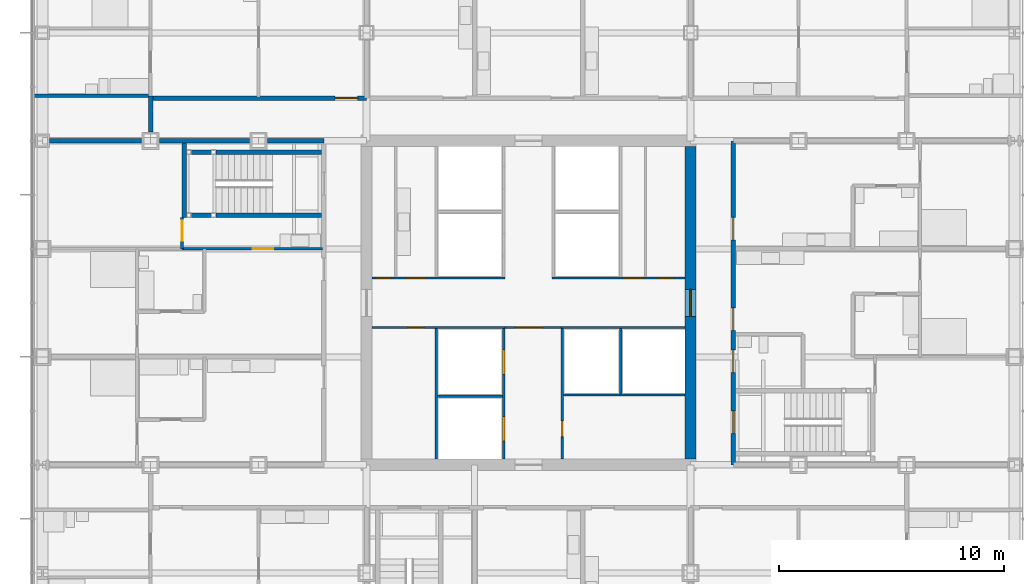
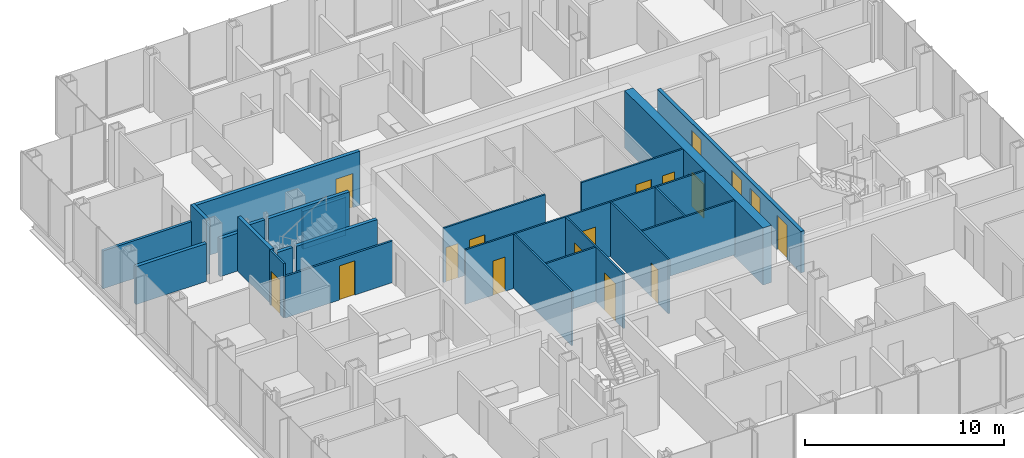
# One storey, part 15 of 21: 26 walls, 17 doors, 17 openings.
"""IFC4 building model written with IfcOpenShell, lengths in metres."""

from ifc_helpers import new_model, si_unit, direction, frame, frame_2d, origin, place, context, subcontext, project, spatial, rectangle, extrude, material, layer, layer_set, type_object, element, fill, save


model = new_model("IFC4")

# Units and contexts
model_context = context("Model", 3, precision=1e-05, world=origin(), true_north=direction((0.0, 1.0)))
body_context = subcontext(model_context, "Body", "Model", "MODEL_VIEW")
ifc_project = project(units=[si_unit("LENGTHUNIT", "METRE"), si_unit("AREAUNIT", "SQUARE_METRE"), si_unit("VOLUMEUNIT", "CUBIC_METRE"), si_unit("PLANEANGLEUNIT", "RADIAN"), si_unit("MASSUNIT", "GRAM", prefix="KILO")], contexts=[model_context])

# Site, building, storey
site_placement = place(None, origin())
site = spatial("IfcSite", under=ifc_project, at=site_placement, CompositionType="ELEMENT")
building_placement = place(site_placement, origin())
building = spatial("IfcBuilding", under=site, at=building_placement, Name="Kvirike Care Tower", CompositionType="ELEMENT")
storey_placement = place(building_placement, frame((0.0, 0.0, 51.5)))
storey = spatial("IfcBuildingStorey", under=building, at=storey_placement, Name="L13", CompositionType="ELEMENT", Elevation=51.5)

# Wall
ifc_material_1 = material(Name="Moisture-resistant board partition", Category="gypsum")
ifc_layer_1 = layer(ifc_material_1, 0.14990234375)
ifc_layer_set_1 = layer_set([ifc_layer_1], Name="BATHROOM WALL 150")
wall_type_1 = type_object("IfcWallType", Name="BATHROOM WALL 150", PredefinedType="PARTITIONING", material=ifc_layer_set_1)
wall_1_placement = place(storey_placement, frame((4.699951171875, 45.199951171875, 0.0), z_axis=(0.0, 0.0, 1.0), x_axis=(-1.0, 0.0, 0.0)))
element("IfcWall", 1, at=wall_1_placement, inside=storey, type_object=wall_type_1, Name="Bathroom Wall 150 L13", PredefinedType="PARTITIONING", context=body_context, shape_type="SweptSolid", body=[
    extrude(rectangle(XDim=5.135009765625, YDim=0.14990234375, at=frame_2d((2.5673828125, 0.0))), origin(), (0.0, 0.0, 1.0), 2.320068359375),
])

# Wall, opening, door
ifc_material_2 = material(Name="Concrete C60/75", Category="concrete")
ifc_layer_2 = layer(ifc_material_2, 0.5)
ifc_layer_set_2 = layer_set([ifc_layer_2], Name="CORE WALL 500 C60-75")
wall_type_2 = type_object("IfcWallType", Name="CORE WALL 500 C60-75", PredefinedType="SHEAR", material=ifc_layer_set_2)
wall_2_placement = place(storey_placement, frame((28.800048828125, 29.050048828125, -0.169921875), z_axis=(0.0, 0.0, 1.0), x_axis=(0.0, 1.0, 0.0)))
wall_2 = element("IfcWall", 2, at=wall_2_placement, inside=storey, type_object=wall_type_2, Name="Core wall E L13", PredefinedType="SHEAR", context=body_context, shape_type="SweptSolid", body=[
    extrude(rectangle(XDim=13.89990234375, YDim=0.5, at=frame_2d((6.949951171875, 0.0))), origin(), (0.0, 0.0, 1.0), 3.5),
])
opening_1_placement = place(wall_2_placement, frame((6.35009765625, 0.0, 0.169921875)))
opening_1 = element("IfcOpeningElement", 3, at=opening_1_placement, cuts=wall_2, Name="Opening 13-077", PredefinedType="OPENING", context=body_context, shape_type="SweptSolid", body=[
    extrude(rectangle(XDim=1.199951171875, YDim=2.10009765625, at=frame_2d((0.60009765625, 1.050048828125))), frame((0.0, 0.260498046875, 0.0), z_axis=(0.0, -1.0, 0.0), x_axis=(1.0, 0.0, 0.0)), (0.0, 0.0, 1.0), 0.52099609375),
])
ifc_material_3 = material(Name="Timber door set", Category="wood")
door_type_1 = type_object("IfcDoorType", Name="CORE DOOR 1200", OperationType="SINGLE_SWING_LEFT", PredefinedType="DOOR", material=ifc_material_3)
door_1_placement = place(opening_1_placement, origin())
door_1 = element("IfcDoor", 4, at=door_1_placement, inside=storey, type_object=door_type_1, Name="Core door E L13", OperationType="SINGLE_SWING_LEFT", OverallHeight=2.10009765625, OverallWidth=1.199951171875, PredefinedType="DOOR", context=body_context, shape_type="SweptSolid", body=[
    extrude(rectangle(XDim=1.199951171875, YDim=2.10009765625, at=frame_2d((0.60009765625, 1.050048828125))), frame((0.0, 0.02685546875, 0.0), z_axis=(0.0, -1.0, 0.0), x_axis=(1.0, 0.0, 0.0)), (0.0, 0.0, 1.0), 0.053955078125),
])
fill(opening_1, door_1)

ifc_material_4 = material(Name="Plasterboard corridor wall", Category="gypsum")
ifc_layer_3 = layer(ifc_material_4, 0.199951171875)
ifc_layer_set_3 = layer_set([ifc_layer_3], Name="CORRIDOR WALL 200")
wall_type_3 = type_object("IfcWallType", Name="CORRIDOR WALL 200", PredefinedType="PARTITIONING", material=ifc_layer_set_3)
wall_3_placement = place(storey_placement, frame((14.39990234375, 45.10009765625, 0.0), z_axis=(0.0, 0.0, 1.0), x_axis=(-1.0, 0.0, 0.0)))
wall_3 = element("IfcWall", 5, at=wall_3_placement, inside=storey, type_object=wall_type_3, Name="Corridor Wall 200 L13", PredefinedType="PARTITIONING", context=body_context, shape_type="SweptSolid", body=[
    extrude(rectangle(XDim=9.599853515625, YDim=0.199951171875, at=frame_2d((4.7998046875, 0.0))), origin(), (0.0, 0.0, 1.0), 3.330078125),
])
opening_2_placement = place(wall_3_placement, frame((0.39990234375, 0.0, 0.0)))
opening_2 = element("IfcOpeningElement", 6, at=opening_2_placement, cuts=wall_3, Name="Opening 13-023", PredefinedType="OPENING", context=body_context, shape_type="SweptSolid", body=[
    extrude(rectangle(XDim=1.0, YDim=2.10009765625, at=frame_2d((0.5, 1.050048828125))), frame((0.0, 0.110595703125, 0.0), z_axis=(0.0, -1.0, 0.0), x_axis=(1.0, 0.0, 0.0)), (0.0, 0.0, 1.0), 0.220947265625),
])
ifc_material_5 = material(Name="Timber door set", Category="wood")
door_type_2 = type_object("IfcDoorType", Name="FLAT ENTRANCE DOOR 1000", OperationType="SINGLE_SWING_LEFT", PredefinedType="DOOR", material=ifc_material_5)
door_2_placement = place(opening_2_placement, frame((1.0, 0.0, 0.0), z_axis=(0.0, 0.0, 1.0), x_axis=(-1.0, 0.0, 0.0)))
door_2 = element("IfcDoor", 7, at=door_2_placement, inside=storey, type_object=door_type_2, Name="Three-bedroom corner apartment entrance", OperationType="SINGLE_SWING_LEFT", OverallHeight=2.10009765625, OverallWidth=1.0, PredefinedType="DOOR", context=body_context, shape_type="SweptSolid", body=[
    extrude(rectangle(XDim=1.0, YDim=2.10009765625, at=frame_2d((0.5, 1.050048828125))), frame((0.0, 0.02685546875, 0.0), z_axis=(0.0, -1.0, 0.0), x_axis=(1.0, 0.0, 0.0)), (0.0, 0.0, 1.0), 0.053955078125),
])
fill(opening_2, door_2)

# Wall
wall_4_placement = place(storey_placement, frame((4.800048828125, 45.199951171875, 0.0), z_axis=(0.0, 0.0, 1.0), x_axis=(0.0, -1.0, 0.0)))
element("IfcWall", 8, at=wall_4_placement, inside=storey, type_object=wall_type_3, Name="Corridor Wall 200 L13", PredefinedType="PARTITIONING", context=body_context, shape_type="SweptSolid", body=[
    extrude(rectangle(XDim=1.60498046875, YDim=0.199951171875, at=frame_2d((0.802490234375, 0.0))), origin(), (0.0, 0.0, 1.0), 3.330078125),
])

# Wall, openings, doors
wall_5_placement = place(storey_placement, frame((30.699951171875, 28.800048828125, 0.0), z_axis=(0.0, 0.0, 1.0), x_axis=(0.0, 1.0, 0.0)))
wall_5 = element("IfcWall", 9, at=wall_5_placement, inside=storey, type_object=wall_type_3, Name="Corridor Wall 200 L13", PredefinedType="PARTITIONING", context=body_context, shape_type="SweptSolid", body=[
    extrude(rectangle(XDim=14.39990234375, YDim=0.199951171875, at=frame_2d((7.199951171875, 0.0))), origin(), (0.0, 0.0, 1.0), 2.550048828125),
])
opening_3_placement = place(wall_5_placement, frame((1.39990234375, 0.0, 0.0)))
opening_3 = element("IfcOpeningElement", 10, at=opening_3_placement, cuts=wall_5, Name="Opening 13-053", PredefinedType="OPENING", context=body_context, shape_type="SweptSolid", body=[
    extrude(rectangle(XDim=1.0, YDim=2.10009765625, at=frame_2d((0.5, 1.050048828125))), frame((0.0, 0.110595703125, 0.0), z_axis=(0.0, -1.0, 0.0), x_axis=(1.0, 0.0, 0.0)), (0.0, 0.0, 1.0), 0.220947265625),
])
opening_4_placement = place(wall_5_placement, frame((4.10009765625, 0.0, 0.0)))
opening_4 = element("IfcOpeningElement", 11, at=opening_4_placement, cuts=wall_5, Name="Opening 13-054", PredefinedType="OPENING", context=body_context, shape_type="SweptSolid", body=[
    extrude(rectangle(XDim=1.0, YDim=2.10009765625, at=frame_2d((0.5, 1.050048828125))), frame((0.0, 0.110595703125, 0.0), z_axis=(0.0, -1.0, 0.0), x_axis=(1.0, 0.0, 0.0)), (0.0, 0.0, 1.0), 0.220947265625),
])
opening_5_placement = place(wall_5_placement, frame((5.97509765625, 0.0, 0.0)))
opening_5 = element("IfcOpeningElement", 12, at=opening_5_placement, cuts=wall_5, Name="Opening 13-055", PredefinedType="OPENING", context=body_context, shape_type="SweptSolid", body=[
    extrude(rectangle(XDim=1.0, YDim=2.10009765625, at=frame_2d((0.5, 1.050048828125))), frame((0.0, 0.110595703125, 0.0), z_axis=(0.0, -1.0, 0.0), x_axis=(1.0, 0.0, 0.0)), (0.0, 0.0, 1.0), 0.220947265625),
])
opening_6_placement = place(wall_5_placement, frame((10.0, 0.0, 0.0)))
opening_6 = element("IfcOpeningElement", 13, at=opening_6_placement, cuts=wall_5, Name="Opening 13-056", PredefinedType="OPENING", context=body_context, shape_type="SweptSolid", body=[
    extrude(rectangle(XDim=1.0, YDim=2.10009765625, at=frame_2d((0.5, 1.050048828125))), frame((0.0, 0.110595703125, 0.0), z_axis=(0.0, -1.0, 0.0), x_axis=(1.0, 0.0, 0.0)), (0.0, 0.0, 1.0), 0.220947265625),
])
door_3_placement = place(opening_5_placement, frame((1.0, 0.0, 0.0), z_axis=(0.0, 0.0, 1.0), x_axis=(-1.0, 0.0, 0.0)))
door_3 = element("IfcDoor", 14, at=door_3_placement, inside=storey, type_object=door_type_2, Name="One-bedroom apartment entrance", OperationType="SINGLE_SWING_LEFT", OverallHeight=2.10009765625, OverallWidth=1.0, PredefinedType="DOOR", context=body_context, shape_type="SweptSolid", body=[
    extrude(rectangle(XDim=1.0, YDim=2.10009765625, at=frame_2d((0.5, 1.050048828125))), frame((0.0, 0.02685546875, 0.0), z_axis=(0.0, -1.0, 0.0), x_axis=(1.0, 0.0, 0.0)), (0.0, 0.0, 1.0), 0.053955078125),
])
fill(opening_5, door_3)
door_4_placement = place(opening_6_placement, frame((1.0, 0.0, 0.0), z_axis=(0.0, 0.0, 1.0), x_axis=(-1.0, 0.0, 0.0)))
door_4 = element("IfcDoor", 15, at=door_4_placement, inside=storey, type_object=door_type_2, Name="Studio apartment entrance", OperationType="SINGLE_SWING_LEFT", OverallHeight=2.10009765625, OverallWidth=1.0, PredefinedType="DOOR", context=body_context, shape_type="SweptSolid", body=[
    extrude(rectangle(XDim=1.0, YDim=2.10009765625, at=frame_2d((0.5, 1.050048828125))), frame((0.0, 0.02685546875, 0.0), z_axis=(0.0, -1.0, 0.0), x_axis=(1.0, 0.0, 0.0)), (0.0, 0.0, 1.0), 0.053955078125),
])
fill(opening_6, door_4)
ifc_material_6 = material(Name="Timber door set", Category="wood")
door_type_3 = type_object("IfcDoorType", Name="STAIR DOOR 1000", OperationType="SINGLE_SWING_LEFT", PredefinedType="DOOR", material=ifc_material_6)
door_5_placement = place(opening_3_placement, frame((1.0, 0.0, 0.0), z_axis=(0.0, 0.0, 1.0), x_axis=(-1.0, 0.0, 0.0)))
door_5 = element("IfcDoor", 16, at=door_5_placement, inside=storey, type_object=door_type_3, Name="Stair 2 door", OperationType="SINGLE_SWING_LEFT", OverallHeight=2.10009765625, OverallWidth=1.0, PredefinedType="DOOR", context=body_context, shape_type="SweptSolid", body=[
    extrude(rectangle(XDim=1.0, YDim=2.10009765625, at=frame_2d((0.5, 1.050048828125))), frame((0.0, 0.031982421875, 0.0), z_axis=(0.0, -1.0, 0.0), x_axis=(1.0, 0.0, 0.0)), (0.0, 0.0, 1.0), 0.06396484375),
])
fill(opening_3, door_5)
ifc_material_7 = material(Name="Timber door set", Category="wood")
door_type_4 = type_object("IfcDoorType", Name="WC DOOR 1000", OperationType="SINGLE_SWING_LEFT", PredefinedType="DOOR", material=ifc_material_7)
door_6_placement = place(opening_4_placement, frame((1.0, 0.0, 0.0), z_axis=(0.0, 0.0, 1.0), x_axis=(-1.0, 0.0, 0.0)))
door_6 = element("IfcDoor", 17, at=door_6_placement, inside=storey, type_object=door_type_4, Name="Accessible WC door", OperationType="SINGLE_SWING_LEFT", OverallHeight=2.10009765625, OverallWidth=1.0, PredefinedType="DOOR", context=body_context, shape_type="SweptSolid", body=[
    extrude(rectangle(XDim=1.0, YDim=2.10009765625, at=frame_2d((0.5, 1.050048828125))), frame((0.0, 0.02685546875, 0.0), z_axis=(0.0, -1.0, 0.0), x_axis=(1.0, 0.0, 0.0)), (0.0, 0.0, 1.0), 0.053955078125),
])
fill(opening_4, door_6)

# Wall, opening, door
ifc_material_8 = material(Name="Plasterboard partition", Category="gypsum")
ifc_layer_4 = layer(ifc_material_8, 0.1201171875)
ifc_layer_set_4 = layer_set([ifc_layer_4], Name="PARTITION 120")
wall_type_4 = type_object("IfcWallType", Name="PARTITION 120", PredefinedType="PARTITIONING", material=ifc_layer_set_4)
wall_6_placement = place(storey_placement, frame((6.199951171875, 38.39990234375, 0.0), z_axis=(0.0, 0.0, 1.0), x_axis=(1.0, 0.0, 0.0)))
wall_6 = element("IfcWall", 18, at=wall_6_placement, inside=storey, type_object=wall_type_4, Name="Partition 120 L13", PredefinedType="PARTITIONING", context=body_context, shape_type="SweptSolid", body=[
    extrude(rectangle(XDim=6.25, YDim=0.1201171875, at=frame_2d((3.125, 0.0))), origin(), (0.0, 0.0, 1.0), 2.550048828125),
])
opening_7_placement = place(wall_6_placement, frame((3.14990234375, 0.0, 0.0)))
opening_7 = element("IfcOpeningElement", 19, at=opening_7_placement, cuts=wall_6, Name="Opening 13-009", PredefinedType="OPENING", context=body_context, shape_type="SweptSolid", body=[
    extrude(rectangle(XDim=0.89990234375, YDim=2.10009765625, at=frame_2d((0.449951171875, 1.050048828125))), frame((0.0, 0.070556640625, 0.0), z_axis=(0.0, -1.0, 0.0), x_axis=(1.0, 0.0, 0.0)), (0.0, 0.0, 1.0), 0.14111328125),
])
ifc_material_9 = material(Name="Timber door set", Category="wood")
door_type_5 = type_object("IfcDoorType", Name="INTERNAL DOOR 900", OperationType="SINGLE_SWING_LEFT", PredefinedType="DOOR", material=ifc_material_9)
door_7_placement = place(opening_7_placement, origin())
door_7 = element("IfcDoor", 20, at=door_7_placement, inside=storey, type_object=door_type_5, Name="Hall door", OperationType="SINGLE_SWING_LEFT", OverallHeight=2.10009765625, OverallWidth=0.89990234375, PredefinedType="DOOR", context=body_context, shape_type="SweptSolid", body=[
    extrude(rectangle(XDim=0.89990234375, YDim=2.10009765625, at=frame_2d((0.449951171875, 1.050048828125))), frame((0.0, 0.02197265625, 0.0), z_axis=(0.0, -1.0, 0.0), x_axis=(1.0, 0.0, 0.0)), (0.0, 0.0, 1.0), 0.0439453125),
])
fill(opening_7, door_7)

wall_7_placement = place(storey_placement, frame((6.199951171875, 39.800048828125, 0.0), z_axis=(0.0, 0.0, 1.0), x_axis=(0.0, -1.0, 0.0)))
wall_7 = element("IfcWall", 21, at=wall_7_placement, inside=storey, type_object=wall_type_4, Name="Partition 120 L13", PredefinedType="PARTITIONING", context=body_context, shape_type="SweptSolid", body=[
    extrude(rectangle(XDim=1.400146484375, YDim=0.1201171875, at=frame_2d((0.7001953125, 0.0))), origin(), (0.0, 0.0, 1.0), 3.330078125),
])
opening_8_placement = place(wall_7_placement, frame((0.14990234375, 0.0, 0.0)))
opening_8 = element("IfcOpeningElement", 22, at=opening_8_placement, cuts=wall_7, Name="Opening 13-010", PredefinedType="OPENING", context=body_context, shape_type="SweptSolid", body=[
    extrude(rectangle(XDim=0.89990234375, YDim=2.10009765625, at=frame_2d((0.449951171875, 1.050048828125))), frame((0.0, 0.070556640625, 0.0), z_axis=(0.0, -1.0, 0.0), x_axis=(1.0, 0.0, 0.0)), (0.0, 0.0, 1.0), 0.14111328125),
])
door_8_placement = place(opening_8_placement, origin())
door_8 = element("IfcDoor", 23, at=door_8_placement, inside=storey, type_object=door_type_5, Name="Apartment living room door", OperationType="SINGLE_SWING_RIGHT", OverallHeight=2.10009765625, OverallWidth=0.89990234375, PredefinedType="DOOR", context=body_context, shape_type="SweptSolid", body=[
    extrude(rectangle(XDim=0.89990234375, YDim=2.10009765625, at=frame_2d((0.449951171875, 1.050048828125))), frame((0.0, 0.02197265625, 0.0), z_axis=(0.0, -1.0, 0.0), x_axis=(1.0, 0.0, 0.0)), (0.0, 0.0, 1.0), 0.0439453125),
])
fill(opening_8, door_8)

# Walls
ifc_material_10 = material(Name="Plasterboard party wall", Category="gypsum")
ifc_layer_5 = layer(ifc_material_10, 0.199951171875)
ifc_layer_set_5 = layer_set([ifc_layer_5], Name="PARTY WALL 200")
wall_type_5 = type_object("IfcWallType", Name="PARTY WALL 200", PredefinedType="PARTITIONING", material=ifc_layer_set_5)
wall_8_placement = place(storey_placement, frame((12.5, 43.199951171875, 0.0), z_axis=(0.0, 0.0, 1.0), x_axis=(-1.0, 0.0, 0.0)))
element("IfcWall", 24, at=wall_8_placement, inside=storey, type_object=wall_type_5, Name="Party Wall 200 L13", PredefinedType="PARTITIONING", context=body_context, shape_type="SweptSolid", body=[
    extrude(rectangle(XDim=2.5048828125, YDim=0.199951171875, at=frame_2d((1.25244140625, 0.0))), origin(), (0.0, 0.0, 1.0), 2.320068359375),
])
wall_9_placement = place(storey_placement, frame((9.205078125, 43.199951171875, 0.0), z_axis=(0.0, 0.0, 1.0), x_axis=(-1.0, 0.0, 0.0)))
element("IfcWall", 25, at=wall_9_placement, inside=storey, type_object=wall_type_5, Name="Party Wall 200 L13", PredefinedType="PARTITIONING", context=body_context, shape_type="SweptSolid", body=[
    extrude(rectangle(XDim=4.010009765625, YDim=0.199951171875, at=frame_2d((2.0048828125, 0.0))), origin(), (0.0, 0.0, 1.0), 2.320068359375),
])
wall_10_placement = place(storey_placement, frame((4.405029296875, 43.199951171875, 0.0), z_axis=(0.0, 0.0, 1.0), x_axis=(-1.0, 0.0, 0.0)))
element("IfcWall", 26, at=wall_10_placement, inside=storey, type_object=wall_type_5, Name="Party Wall 200 L13", PredefinedType="PARTITIONING", context=body_context, shape_type="SweptSolid", body=[
    extrude(rectangle(XDim=4.0849609375, YDim=0.199951171875, at=frame_2d((2.04248046875, 0.0))), origin(), (0.0, 0.0, 1.0), 2.320068359375),
])

# Wall, openings, doors
ifc_material_11 = material(Name="Gypsum shaft wall system", Category="gypsum")
ifc_layer_6 = layer(ifc_material_11, 0.10009765625)
ifc_layer_set_6 = layer_set([ifc_layer_6], Name="SHAFT WALL 100")
wall_type_6 = type_object("IfcWallType", Name="SHAFT WALL 100", PredefinedType="SOLIDWALL", material=ifc_layer_set_6)
wall_11_placement = place(storey_placement, frame((20.5, 29.050048828125, 0.0), z_axis=(0.0, 0.0, 1.0), x_axis=(0.0, 1.0, 0.0)))
wall_11 = element("IfcWall", 27, at=wall_11_placement, inside=storey, type_object=wall_type_6, Name="Shaft Wall 100 L13", PredefinedType="SOLIDWALL", context=body_context, shape_type="SweptSolid", body=[
    extrude(rectangle(XDim=5.800048828125, YDim=0.10009765625, at=frame_2d((2.89990234375, 0.0))), origin(), (0.0, 0.0, 1.0), 3.330078125),
])
opening_9_placement = place(wall_11_placement, frame((0.800048828125, 0.0, 0.0)))
opening_9 = element("IfcOpeningElement", 28, at=opening_9_placement, cuts=wall_11, Name="Opening 13-064", PredefinedType="OPENING", context=body_context, shape_type="SweptSolid", body=[
    extrude(rectangle(XDim=1.10009765625, YDim=2.300048828125, at=frame_2d((0.550048828125, 1.14990234375))), frame((0.0, 0.060546875, 0.0), z_axis=(0.0, -1.0, 0.0), x_axis=(1.0, 0.0, 0.0)), (0.0, 0.0, 1.0), 0.12109375),
])
opening_10_placement = place(wall_11_placement, frame((3.77490234375, 0.0, 0.0)))
opening_10 = element("IfcOpeningElement", 29, at=opening_10_placement, cuts=wall_11, Name="Opening 13-065", PredefinedType="OPENING", context=body_context, shape_type="SweptSolid", body=[
    extrude(rectangle(XDim=1.10009765625, YDim=2.300048828125, at=frame_2d((0.550048828125, 1.14990234375))), frame((0.0, 0.060546875, 0.0), z_axis=(0.0, -1.0, 0.0), x_axis=(1.0, 0.0, 0.0)), (0.0, 0.0, 1.0), 0.12109375),
])
ifc_material_12 = material(Name="Aluminium door frame", Category="aluminium")
door_type_6 = type_object("IfcDoorType", Name="FIRE-FIGHTING LIFT LANDING DOOR 1100", OperationType="SLIDING_TO_LEFT", PredefinedType="DOOR", material=ifc_material_12)
door_9_placement = place(opening_9_placement, origin())
door_9 = element("IfcDoor", 30, at=door_9_placement, inside=storey, type_object=door_type_6, Name="Lift FF1 landing door", OperationType="SLIDING_TO_LEFT", OverallHeight=2.300048828125, OverallWidth=1.10009765625, PredefinedType="DOOR", context=body_context, shape_type="SweptSolid", body=[
    extrude(rectangle(XDim=1.10009765625, YDim=2.300048828125, at=frame_2d((0.550048828125, 1.14990234375))), frame((0.0, 0.0498046875, 0.0), z_axis=(0.0, -1.0, 0.0), x_axis=(1.0, 0.0, 0.0)), (0.0, 0.0, 1.0), 0.099609375),
])
fill(opening_9, door_9)
door_10_placement = place(opening_10_placement, origin())
door_10 = element("IfcDoor", 31, at=door_10_placement, inside=storey, type_object=door_type_6, Name="Lift FF2 landing door", OperationType="SLIDING_TO_LEFT", OverallHeight=2.300048828125, OverallWidth=1.10009765625, PredefinedType="DOOR", context=body_context, shape_type="SweptSolid", body=[
    extrude(rectangle(XDim=1.10009765625, YDim=2.300048828125, at=frame_2d((0.550048828125, 1.14990234375))), frame((0.0, 0.0498046875, 0.0), z_axis=(0.0, -1.0, 0.0), x_axis=(1.0, 0.0, 0.0)), (0.0, 0.0, 1.0), 0.099609375),
])
fill(opening_10, door_10)

# Wall, opening, door
wall_12_placement = place(storey_placement, frame((23.10009765625, 29.050048828125, 0.0), z_axis=(0.0, 0.0, 1.0), x_axis=(0.0, 1.0, 0.0)))
wall_12 = element("IfcWall", 32, at=wall_12_placement, inside=storey, type_object=wall_type_6, Name="Shaft Wall 100 L13", PredefinedType="SOLIDWALL", context=body_context, shape_type="SweptSolid", body=[
    extrude(rectangle(XDim=5.800048828125, YDim=0.10009765625, at=frame_2d((2.89990234375, 0.0))), origin(), (0.0, 0.0, 1.0), 3.330078125),
])
opening_11_placement = place(wall_12_placement, frame((1.0, 0.0, 0.0)))
opening_11 = element("IfcOpeningElement", 33, at=opening_11_placement, cuts=wall_12, Name="Opening 13-068", PredefinedType="OPENING", context=body_context, shape_type="SweptSolid", body=[
    extrude(rectangle(XDim=0.699951171875, YDim=2.10009765625, at=frame_2d((0.35009765625, 1.050048828125))), frame((0.0, 0.060546875, 0.0), z_axis=(0.0, -1.0, 0.0), x_axis=(1.0, 0.0, 0.0)), (0.0, 0.0, 1.0), 0.12109375),
])
ifc_material_13 = material(Name="Timber door set", Category="wood")
door_type_7 = type_object("IfcDoorType", Name="RISER DOOR 700", OperationType="SINGLE_SWING_LEFT", PredefinedType="DOOR", material=ifc_material_13)
door_11_placement = place(opening_11_placement, origin())
door_11 = element("IfcDoor", 34, at=door_11_placement, inside=storey, type_object=door_type_7, Name="Riser door", OperationType="SINGLE_SWING_RIGHT", OverallHeight=2.10009765625, OverallWidth=0.699951171875, PredefinedType="DOOR", context=body_context, shape_type="SweptSolid", body=[
    extrude(rectangle(XDim=0.699951171875, YDim=2.10009765625, at=frame_2d((0.35009765625, 1.050048828125))), frame((0.0, 0.02685546875, 0.0), z_axis=(0.0, -1.0, 0.0), x_axis=(1.0, 0.0, 0.0)), (0.0, 0.0, 1.0), 0.053955078125),
])
fill(opening_11, door_11)

wall_13_placement = place(storey_placement, frame((14.64990234375, 34.89990234375, 0.0), z_axis=(0.0, 0.0, 1.0), x_axis=(1.0, 0.0, 0.0)))
wall_13 = element("IfcWall", 35, at=wall_13_placement, inside=storey, type_object=wall_type_6, Name="Shaft Wall 100 L13", PredefinedType="SOLIDWALL", context=body_context, shape_type="SweptSolid", body=[
    extrude(rectangle(XDim=5.900146484375, YDim=0.10009765625, at=frame_2d((2.9501953125, 0.0))), origin(), (0.0, 0.0, 1.0), 3.330078125),
])
opening_12_placement = place(wall_13_placement, frame((1.60009765625, 0.0, 0.0)))
opening_12 = element("IfcOpeningElement", 36, at=opening_12_placement, cuts=wall_13, Name="Opening 13-069", PredefinedType="OPENING", context=body_context, shape_type="SweptSolid", body=[
    extrude(rectangle(XDim=0.699951171875, YDim=2.10009765625, at=frame_2d((0.35009765625, 1.050048828125))), frame((0.0, 0.060546875, 0.0), z_axis=(0.0, -1.0, 0.0), x_axis=(1.0, 0.0, 0.0)), (0.0, 0.0, 1.0), 0.12109375),
])
door_12_placement = place(opening_12_placement, frame((0.699951171875, 0.0, 0.0), z_axis=(0.0, 0.0, 1.0), x_axis=(-1.0, 0.0, 0.0)))
door_12 = element("IfcDoor", 37, at=door_12_placement, inside=storey, type_object=door_type_7, Name="Riser door", OperationType="SINGLE_SWING_RIGHT", OverallHeight=2.10009765625, OverallWidth=0.699951171875, PredefinedType="DOOR", context=body_context, shape_type="SweptSolid", body=[
    extrude(rectangle(XDim=0.699951171875, YDim=2.10009765625, at=frame_2d((0.35009765625, 1.050048828125))), frame((0.0, 0.02685546875, 0.0), z_axis=(0.0, -1.0, 0.0), x_axis=(1.0, 0.0, 0.0)), (0.0, 0.0, 1.0), 0.053955078125),
])
fill(opening_12, door_12)

# Wall
wall_14_placement = place(storey_placement, frame((23.050048828125, 34.89990234375, 0.0), z_axis=(0.0, 0.0, 1.0), x_axis=(1.0, 0.0, 0.0)))
element("IfcWall", 38, at=wall_14_placement, inside=storey, type_object=wall_type_6, Name="Shaft Wall 100 L13", PredefinedType="SOLIDWALL", context=body_context, shape_type="SweptSolid", body=[
    extrude(rectangle(XDim=5.5, YDim=0.10009765625, at=frame_2d((2.75, 0.0))), origin(), (0.0, 0.0, 1.0), 3.330078125),
])

# Wall, openings, doors
wall_15_placement = place(storey_placement, frame((14.64990234375, 37.10009765625, 0.0), z_axis=(0.0, 0.0, 1.0), x_axis=(1.0, 0.0, 0.0)))
wall_15 = element("IfcWall", 39, at=wall_15_placement, inside=storey, type_object=wall_type_6, Name="Shaft Wall 100 L13", PredefinedType="SOLIDWALL", context=body_context, shape_type="SweptSolid", body=[
    extrude(rectangle(XDim=5.900146484375, YDim=0.10009765625, at=frame_2d((2.9501953125, 0.0))), origin(), (0.0, 0.0, 1.0), 3.330078125),
])
opening_13_placement = place(wall_15_placement, frame((0.14990234375, 0.0, 0.0)))
opening_13 = element("IfcOpeningElement", 40, at=opening_13_placement, cuts=wall_15, Name="Opening 13-070", PredefinedType="OPENING", context=body_context, shape_type="SweptSolid", body=[
    extrude(rectangle(XDim=0.699951171875, YDim=2.10009765625, at=frame_2d((0.35009765625, 1.050048828125))), frame((0.0, 0.060546875, 0.0), z_axis=(0.0, -1.0, 0.0), x_axis=(1.0, 0.0, 0.0)), (0.0, 0.0, 1.0), 0.12109375),
])
opening_14_placement = place(wall_15_placement, frame((1.5, 0.0, 0.0)))
opening_14 = element("IfcOpeningElement", 41, at=opening_14_placement, cuts=wall_15, Name="Opening 13-071", PredefinedType="OPENING", context=body_context, shape_type="SweptSolid", body=[
    extrude(rectangle(XDim=0.89990234375, YDim=2.10009765625, at=frame_2d((0.449951171875, 1.050048828125))), frame((0.0, 0.060546875, 0.0), z_axis=(0.0, -1.0, 0.0), x_axis=(1.0, 0.0, 0.0)), (0.0, 0.0, 1.0), 0.12109375),
])
door_13_placement = place(opening_13_placement, origin())
door_13 = element("IfcDoor", 42, at=door_13_placement, inside=storey, type_object=door_type_7, Name="Riser door", OperationType="SINGLE_SWING_RIGHT", OverallHeight=2.10009765625, OverallWidth=0.699951171875, PredefinedType="DOOR", context=body_context, shape_type="SweptSolid", body=[
    extrude(rectangle(XDim=0.699951171875, YDim=2.10009765625, at=frame_2d((0.35009765625, 1.050048828125))), frame((0.0, 0.02685546875, 0.0), z_axis=(0.0, -1.0, 0.0), x_axis=(1.0, 0.0, 0.0)), (0.0, 0.0, 1.0), 0.053955078125),
])
fill(opening_13, door_13)
ifc_material_14 = material(Name="Timber door set", Category="wood")
door_type_8 = type_object("IfcDoorType", Name="STORE DOOR 900", OperationType="SINGLE_SWING_LEFT", PredefinedType="DOOR", material=ifc_material_14)
door_14_placement = place(opening_14_placement, origin())
door_14 = element("IfcDoor", 43, at=door_14_placement, inside=storey, type_object=door_type_8, Name="Resident pantry door", OperationType="SINGLE_SWING_LEFT", OverallHeight=2.10009765625, OverallWidth=0.89990234375, PredefinedType="DOOR", context=body_context, shape_type="SweptSolid", body=[
    extrude(rectangle(XDim=0.89990234375, YDim=2.10009765625, at=frame_2d((0.449951171875, 1.050048828125))), frame((0.0, 0.02685546875, 0.0), z_axis=(0.0, -1.0, 0.0), x_axis=(1.0, 0.0, 0.0)), (0.0, 0.0, 1.0), 0.053955078125),
])
fill(opening_14, door_14)

wall_16_placement = place(storey_placement, frame((22.64990234375, 37.10009765625, 0.0), z_axis=(0.0, 0.0, 1.0), x_axis=(1.0, 0.0, 0.0)))
wall_16 = element("IfcWall", 44, at=wall_16_placement, inside=storey, type_object=wall_type_6, Name="Shaft Wall 100 L13", PredefinedType="SOLIDWALL", context=body_context, shape_type="SweptSolid", body=[
    extrude(rectangle(XDim=5.900146484375, YDim=0.10009765625, at=frame_2d((2.9501953125, 0.0))), origin(), (0.0, 0.0, 1.0), 3.330078125),
])
opening_15_placement = place(wall_16_placement, frame((3.14990234375, 0.0, 0.0)))
opening_15 = element("IfcOpeningElement", 45, at=opening_15_placement, cuts=wall_16, Name="Opening 13-072", PredefinedType="OPENING", context=body_context, shape_type="SweptSolid", body=[
    extrude(rectangle(XDim=0.89990234375, YDim=2.10009765625, at=frame_2d((0.449951171875, 1.050048828125))), frame((0.0, 0.060546875, 0.0), z_axis=(0.0, -1.0, 0.0), x_axis=(1.0, 0.0, 0.0)), (0.0, 0.0, 1.0), 0.12109375),
])
opening_16_placement = place(wall_16_placement, frame((4.699951171875, 0.0, 0.0)))
opening_16 = element("IfcOpeningElement", 46, at=opening_16_placement, cuts=wall_16, Name="Opening 13-073", PredefinedType="OPENING", context=body_context, shape_type="SweptSolid", body=[
    extrude(rectangle(XDim=0.699951171875, YDim=2.10009765625, at=frame_2d((0.35009765625, 1.050048828125))), frame((0.0, 0.060546875, 0.0), z_axis=(0.0, -1.0, 0.0), x_axis=(1.0, 0.0, 0.0)), (0.0, 0.0, 1.0), 0.12109375),
])
door_15_placement = place(opening_16_placement, origin())
door_15 = element("IfcDoor", 47, at=door_15_placement, inside=storey, type_object=door_type_7, Name="Riser door", OperationType="SINGLE_SWING_LEFT", OverallHeight=2.10009765625, OverallWidth=0.699951171875, PredefinedType="DOOR", context=body_context, shape_type="SweptSolid", body=[
    extrude(rectangle(XDim=0.699951171875, YDim=2.10009765625, at=frame_2d((0.35009765625, 1.050048828125))), frame((0.0, 0.02685546875, 0.0), z_axis=(0.0, -1.0, 0.0), x_axis=(1.0, 0.0, 0.0)), (0.0, 0.0, 1.0), 0.053955078125),
])
fill(opening_16, door_15)
door_16_placement = place(opening_15_placement, origin())
door_16 = element("IfcDoor", 48, at=door_16_placement, inside=storey, type_object=door_type_8, Name="Cleaners store door", OperationType="SINGLE_SWING_LEFT", OverallHeight=2.10009765625, OverallWidth=0.89990234375, PredefinedType="DOOR", context=body_context, shape_type="SweptSolid", body=[
    extrude(rectangle(XDim=0.89990234375, YDim=2.10009765625, at=frame_2d((0.449951171875, 1.050048828125))), frame((0.0, 0.02685546875, 0.0), z_axis=(0.0, -1.0, 0.0), x_axis=(1.0, 0.0, 0.0)), (0.0, 0.0, 1.0), 0.053955078125),
])
fill(opening_15, door_16)

# Wall, opening, door
wall_17_placement = place(storey_placement, frame((20.550048828125, 34.89990234375, 0.0), z_axis=(0.0, 0.0, 1.0), x_axis=(1.0, 0.0, 0.0)))
wall_17 = element("IfcWall", 49, at=wall_17_placement, inside=storey, type_object=wall_type_6, Name="Shaft Wall 100 L13", PredefinedType="SOLIDWALL", context=body_context, shape_type="SweptSolid", body=[
    extrude(rectangle(XDim=2.5, YDim=0.10009765625, at=frame_2d((1.25, 0.0))), origin(), (0.0, 0.0, 1.0), 3.330078125),
])
opening_17_placement = place(wall_17_placement, frame((0.449951171875, 0.0, 0.0)))
opening_17 = element("IfcOpeningElement", 50, at=opening_17_placement, cuts=wall_17, Name="Opening 13-074", PredefinedType="OPENING", context=body_context, shape_type="SweptSolid", body=[
    extrude(rectangle(XDim=1.199951171875, YDim=2.10009765625, at=frame_2d((0.60009765625, 1.050048828125))), frame((0.0, 0.060546875, 0.0), z_axis=(0.0, -1.0, 0.0), x_axis=(1.0, 0.0, 0.0)), (0.0, 0.0, 1.0), 0.12109375),
])
door_17_placement = place(opening_17_placement, frame((1.199951171875, 0.0, 0.0), z_axis=(0.0, 0.0, 1.0), x_axis=(-1.0, 0.0, 0.0)))
door_17 = element("IfcDoor", 51, at=door_17_placement, inside=storey, type_object=door_type_1, Name="Fire-fighting lobby door", OperationType="SINGLE_SWING_LEFT", OverallHeight=2.10009765625, OverallWidth=1.199951171875, PredefinedType="DOOR", context=body_context, shape_type="SweptSolid", body=[
    extrude(rectangle(XDim=1.199951171875, YDim=2.10009765625, at=frame_2d((0.60009765625, 1.050048828125))), frame((0.0, 0.02685546875, 0.0), z_axis=(0.0, -1.0, 0.0), x_axis=(1.0, 0.0, 0.0)), (0.0, 0.0, 1.0), 0.053955078125),
])
fill(opening_17, door_17)

# Walls
wall_18_placement = place(storey_placement, frame((17.5, 29.050048828125, 0.0), z_axis=(0.0, 0.0, 1.0), x_axis=(0.0, 1.0, 0.0)))
element("IfcWall", 52, at=wall_18_placement, inside=storey, type_object=wall_type_6, Name="Shaft Wall 100 L13", PredefinedType="SOLIDWALL", context=body_context, shape_type="SweptSolid", body=[
    extrude(rectangle(XDim=5.800048828125, YDim=0.10009765625, at=frame_2d((2.89990234375, 0.0))), origin(), (0.0, 0.0, 1.0), 3.330078125),
])
wall_19_placement = place(storey_placement, frame((17.550048828125, 31.85009765625, 0.0), z_axis=(0.0, 0.0, 1.0), x_axis=(1.0, 0.0, 0.0)))
element("IfcWall", 53, at=wall_19_placement, inside=storey, type_object=wall_type_6, Name="Shaft Wall 100 L13", PredefinedType="SOLIDWALL", context=body_context, shape_type="SweptSolid", body=[
    extrude(rectangle(XDim=2.89990234375, YDim=0.10009765625, at=frame_2d((1.449951171875, 0.0))), origin(), (0.0, 0.0, 1.0), 3.330078125),
])
wall_20_placement = place(storey_placement, frame((25.699951171875, 31.949951171875, 0.0), z_axis=(0.0, 0.0, 1.0), x_axis=(0.0, 1.0, 0.0)))
element("IfcWall", 54, at=wall_20_placement, inside=storey, type_object=wall_type_6, Name="Shaft Wall 100 L13", PredefinedType="SOLIDWALL", context=body_context, shape_type="SweptSolid", body=[
    extrude(rectangle(XDim=2.900146484375, YDim=0.10009765625, at=frame_2d((1.4501953125, 0.0))), origin(), (0.0, 0.0, 1.0), 3.330078125),
])
wall_21_placement = place(storey_placement, frame((23.14990234375, 31.89990234375, 0.0), z_axis=(0.0, 0.0, 1.0), x_axis=(1.0, 0.0, 0.0)))
element("IfcWall", 55, at=wall_21_placement, inside=storey, type_object=wall_type_6, Name="Shaft Wall 100 L13", PredefinedType="SOLIDWALL", context=body_context, shape_type="SweptSolid", body=[
    extrude(rectangle(XDim=5.400146484375, YDim=0.10009765625, at=frame_2d((2.7001953125, 0.0))), origin(), (0.0, 0.0, 1.0), 3.330078125),
])
ifc_material_15 = material(Name="Concrete C40/50", Category="concrete")
ifc_layer_7 = layer(ifc_material_15, 0.199951171875)
ifc_layer_set_7 = layer_set([ifc_layer_7], Name="STAIR WALL 200")
wall_type_7 = type_object("IfcWallType", Name="STAIR WALL 200", PredefinedType="SOLIDWALL", material=ifc_layer_set_7)
wall_22_placement = place(storey_placement, frame((6.60009765625, 42.699951171875, 0.0), z_axis=(0.0, 0.0, 1.0), x_axis=(1.0, 0.0, 0.0)))
element("IfcWall", 56, at=wall_22_placement, inside=storey, type_object=wall_type_7, Name="Stair Wall 200 L13", PredefinedType="SOLIDWALL", context=body_context, shape_type="SweptSolid", body=[
    extrude(rectangle(XDim=0.89990234375, YDim=0.199951171875, at=frame_2d((0.449951171875, 0.0))), origin(), (0.0, 0.0, 1.0), 2.989990234375),
])
wall_23_placement = place(storey_placement, frame((7.699951171875, 42.699951171875, 0.0), z_axis=(0.0, 0.0, 1.0), x_axis=(1.0, 0.0, 0.0)))
element("IfcWall", 57, at=wall_23_placement, inside=storey, type_object=wall_type_7, Name="Stair Wall 200 L13", PredefinedType="SOLIDWALL", context=body_context, shape_type="SweptSolid", body=[
    extrude(rectangle(XDim=4.699951171875, YDim=0.199951171875, at=frame_2d((2.35009765625, 0.0))), origin(), (0.0, 0.0, 1.0), 2.989990234375),
])
wall_24_placement = place(storey_placement, frame((6.60009765625, 39.89990234375, 0.0), z_axis=(0.0, 0.0, 1.0), x_axis=(1.0, 0.0, 0.0)))
element("IfcWall", 58, at=wall_24_placement, inside=storey, type_object=wall_type_7, Name="Stair Wall 200 L13", PredefinedType="SOLIDWALL", context=body_context, shape_type="SweptSolid", body=[
    extrude(rectangle(XDim=0.89990234375, YDim=0.199951171875, at=frame_2d((0.449951171875, 0.0))), origin(), (0.0, 0.0, 1.0), 2.989990234375),
])
wall_25_placement = place(storey_placement, frame((7.699951171875, 39.89990234375, 0.0), z_axis=(0.0, 0.0, 1.0), x_axis=(1.0, 0.0, 0.0)))
element("IfcWall", 59, at=wall_25_placement, inside=storey, type_object=wall_type_7, Name="Stair Wall 200 L13", PredefinedType="SOLIDWALL", context=body_context, shape_type="SweptSolid", body=[
    extrude(rectangle(XDim=4.699951171875, YDim=0.199951171875, at=frame_2d((2.35009765625, 0.0))), origin(), (0.0, 0.0, 1.0), 2.989990234375),
])
wall_26_placement = place(storey_placement, frame((6.300048828125, 43.10009765625, 0.0), z_axis=(0.0, 0.0, 1.0), x_axis=(0.0, -1.0, 0.0)))
element("IfcWall", 60, at=wall_26_placement, inside=storey, type_object=wall_type_7, Name="Stair Wall 200 L13", PredefinedType="SOLIDWALL", context=body_context, shape_type="SweptSolid", body=[
    extrude(rectangle(XDim=3.300048828125, YDim=0.199951171875, at=frame_2d((1.64990234375, 0.0))), origin(), (0.0, 0.0, 1.0), 3.330078125),
])

save(model, "model.ifc")
